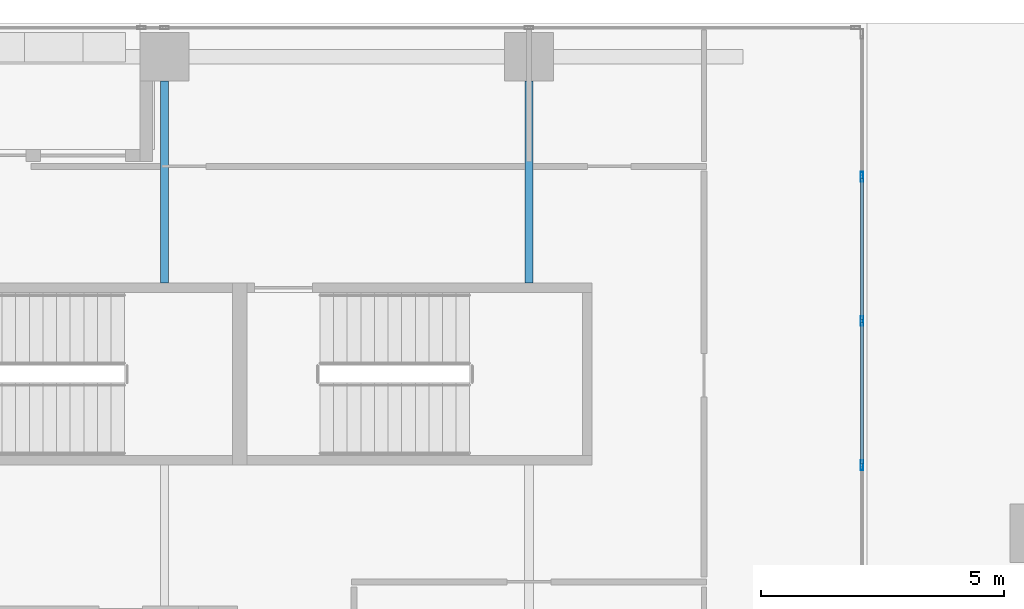
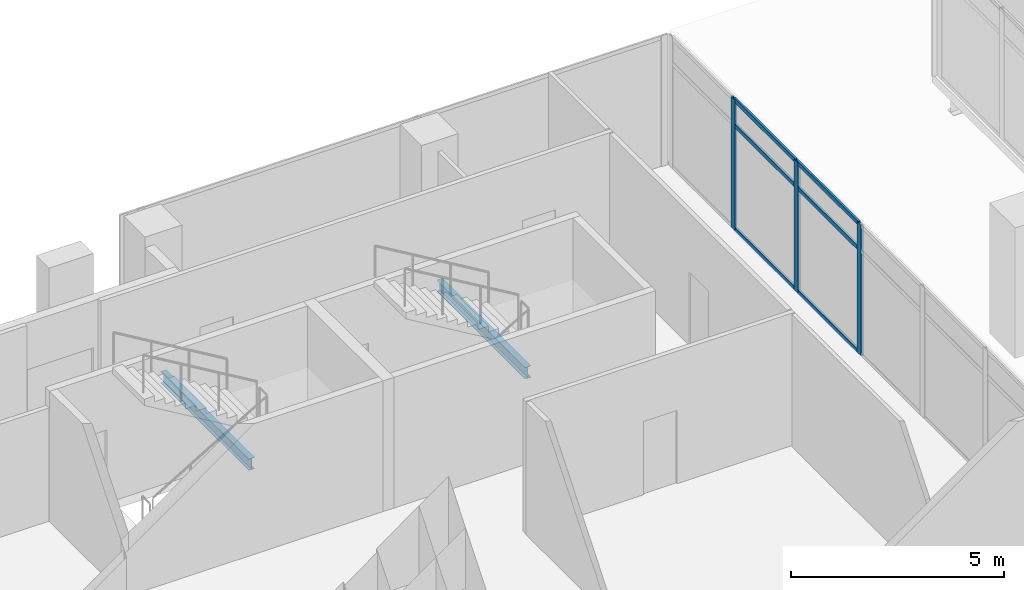
# One storey, part 21 of 40: 9 members, 2 beams, 1 element without a shape of its own.
"""IFC4 building model written with IfcOpenShell, lengths in metres."""

from ifc_helpers import new_model, si_unit, direction, frame, origin, origin_2d, place, context, subcontext, project, spatial, hollow_rectangle, i_section, extrude, source, transform, mapped, material, material_profile, profile_set, type_object, element, aggregate, save


model = new_model("IFC4")

# Units and contexts
model_context = context("Model", 3, precision=1e-05, world=origin(), true_north=direction((0.0, 1.0)))
body_context = subcontext(model_context, "Body", "Model", "MODEL_VIEW")
ifc_project = project(units=[si_unit("LENGTHUNIT", "METRE"), si_unit("AREAUNIT", "SQUARE_METRE"), si_unit("VOLUMEUNIT", "CUBIC_METRE"), si_unit("PLANEANGLEUNIT", "RADIAN"), si_unit("MASSUNIT", "GRAM", prefix="KILO")], contexts=[model_context])

# Site, building, storey
site_placement = place(None, origin())
site = spatial("IfcSite", under=ifc_project, at=site_placement, CompositionType="ELEMENT")
building_placement = place(site_placement, origin())
building = spatial("IfcBuilding", under=site, at=building_placement, Name="Khomas Fold Tower", CompositionType="ELEMENT")
storey_placement = place(building_placement, frame((0.0, 0.0, 184.699951171875)))
storey = spatial("IfcBuildingStorey", under=building, at=storey_placement, Name="L40", CompositionType="ELEMENT", Elevation=184.699951171875)

# Beams
ifc_material_1 = material(Name="Steel S355", Category="steel")
ifc_material_profile_1 = material_profile(ifc_material_1, i_section(OverallWidth=0.159912109375, OverallDepth=0.330078125, WebThickness=0.007568359375, FlangeThickness=0.011474609375, at=origin_2d()), Name="IPE 330")
ifc_profile_set_1 = profile_set([ifc_material_profile_1], Name="Steel S355")
beam_type = type_object("IfcBeamType", Name="IPE 330 beam JB1", PredefinedType="BEAM", material=ifc_profile_set_1)
shared_shape_1 = source(origin(), body_context, "Body", "SweptSolid", [
    extrude(i_section(OverallWidth=0.159912109375, OverallDepth=0.330078125, WebThickness=0.007568359375, FlangeThickness=0.011474609375, at=origin_2d()), origin(), (0.0, 0.0, 1.0), 4.150146484375),
])
for number, where, z_axis, x_axis, name in (
    (1, (19.5, 45.64990234375, -0.4150390625), (0.0, 1.0, 0.0), (-1.0, 0.0, 0.0), "JB1"),
    (2, (27.0, 45.64990234375, -0.4150390625), (0.0, 1.0, 0.0), (-1.0, 0.0, 0.0), "JB1"),
):
    element("IfcBeam", number, at=place(storey_placement, frame(where, z_axis=z_axis, x_axis=x_axis)), inside=storey, type_object=beam_type, Name=name, PredefinedType="BEAM", context=body_context, shape_type="MappedRepresentation", body=[
        mapped(shared_shape_1, transform((0.0, 0.0, 0.0))),
    ])

# Curtain wall, members
ifc_material_2 = material(Name="Aluminium framed double glazing", Category="aluminium")
curtain_wall_type = type_object("IfcCurtainWallType", Name="Notch glazing GN-CW", PredefinedType="NOTDEFINED", material=ifc_material_2)
curtain_wall_placement = place(storey_placement, origin())
curtain_wall = element("IfcCurtainWall", 3, at=curtain_wall_placement, inside=storey, type_object=curtain_wall_type, Name="Notch glazing run", PredefinedType="NOTDEFINED")
ifc_material_3 = material(Name="Aluminium", Category="aluminium")
ifc_material_profile_2 = material_profile(ifc_material_3, hollow_rectangle(XDim=0.06005859375, YDim=0.1201171875, WallThickness=0.00390625, at=origin_2d()), Name="Notch glazing transom GN-CW-T")
ifc_profile_set_2 = profile_set([ifc_material_profile_2], Name="Aluminium")
member_type_1 = type_object("IfcMemberType", Name="Notch glazing transom GN-CW-T", PredefinedType="USERDEFINED", material=ifc_profile_set_2)
shared_shape_2 = source(origin(), body_context, "Body", "SweptSolid", [
    extrude(hollow_rectangle(XDim=0.06005859375, YDim=0.1201171875, WallThickness=0.00390625, at=origin_2d()), origin(), (0.0, 0.0, 1.0), 2.90673828125),
])
member_1_placement = place(storey_placement, frame((33.85009765625, 41.929931640625, 0.030029296875), z_axis=(0.0, 1.0, 0.0), x_axis=(-1.0, 0.0, 0.0)))
member_1 = element("IfcMember", 4, at=member_1_placement, type_object=member_type_1, Name="GN-CW transom 4.1", ObjectType="TRANSOM", PredefinedType="USERDEFINED", context=body_context, shape_type="MappedRepresentation", body=[
    mapped(shared_shape_2, transform((0.0, 0.0, 0.0))),
])
member_2_placement = place(storey_placement, frame((33.85009765625, 41.929931640625, 3.0), z_axis=(0.0, 1.0, 0.0), x_axis=(-1.0, 0.0, 0.0)))
member_2 = element("IfcMember", 5, at=member_2_placement, type_object=member_type_1, Name="GN-CW transom 4.2", ObjectType="TRANSOM", PredefinedType="USERDEFINED", context=body_context, shape_type="MappedRepresentation", body=[
    mapped(shared_shape_2, transform((0.0, 0.0, 0.0))),
])
member_3_placement = place(storey_placement, frame((33.85009765625, 41.929931640625, 3.719970703125), z_axis=(0.0, 1.0, 0.0), x_axis=(-1.0, 0.0, 0.0)))
member_3 = element("IfcMember", 6, at=member_3_placement, type_object=member_type_1, Name="GN-CW transom 4.3", ObjectType="TRANSOM", PredefinedType="USERDEFINED", context=body_context, shape_type="MappedRepresentation", body=[
    mapped(shared_shape_2, transform((0.0, 0.0, 0.0))),
])
shared_shape_3 = source(origin(), body_context, "Body", "SweptSolid", [
    extrude(hollow_rectangle(XDim=0.06005859375, YDim=0.1201171875, WallThickness=0.00390625, at=origin_2d()), origin(), (0.0, 0.0, 1.0), 2.906494140625),
])
member_4_placement = place(storey_placement, frame((33.85009765625, 44.896728515625, 0.030029296875), z_axis=(0.0, 1.0, 0.0), x_axis=(-1.0, 0.0, 0.0)))
member_4 = element("IfcMember", 7, at=member_4_placement, type_object=member_type_1, Name="GN-CW transom 5.1", ObjectType="TRANSOM", PredefinedType="USERDEFINED", context=body_context, shape_type="MappedRepresentation", body=[
    mapped(shared_shape_3, transform((0.0, 0.0, 0.0))),
])
member_5_placement = place(storey_placement, frame((33.85009765625, 44.896728515625, 3.0), z_axis=(0.0, 1.0, 0.0), x_axis=(-1.0, 0.0, 0.0)))
member_5 = element("IfcMember", 8, at=member_5_placement, type_object=member_type_1, Name="GN-CW transom 5.2", ObjectType="TRANSOM", PredefinedType="USERDEFINED", context=body_context, shape_type="MappedRepresentation", body=[
    mapped(shared_shape_3, transform((0.0, 0.0, 0.0))),
])
member_6_placement = place(storey_placement, frame((33.85009765625, 44.896728515625, 3.719970703125), z_axis=(0.0, 1.0, 0.0), x_axis=(-1.0, 0.0, 0.0)))
member_6 = element("IfcMember", 9, at=member_6_placement, type_object=member_type_1, Name="GN-CW transom 5.3", ObjectType="TRANSOM", PredefinedType="USERDEFINED", context=body_context, shape_type="MappedRepresentation", body=[
    mapped(shared_shape_3, transform((0.0, 0.0, 0.0))),
])
ifc_material_4 = material(Name="Aluminium", Category="aluminium")
ifc_material_profile_3 = material_profile(ifc_material_4, hollow_rectangle(XDim=0.06005859375, YDim=0.199951171875, WallThickness=0.00390625, at=origin_2d()), Name="Notch glazing mullion GN-CW-M")
ifc_profile_set_3 = profile_set([ifc_material_profile_3], Name="Aluminium")
member_type_2 = type_object("IfcMemberType", Name="Notch glazing mullion GN-CW-M", PredefinedType="MULLION", material=ifc_profile_set_3)
shared_shape_4 = source(origin(), body_context, "Body", "SweptSolid", [
    extrude(hollow_rectangle(XDim=0.06005859375, YDim=0.199951171875, WallThickness=0.00390625, at=origin_2d()), origin(), (0.0, 0.0, 1.0), 3.75),
])
member_7_placement = place(storey_placement, frame((33.85009765625, 41.89990234375, 0.0), z_axis=(0.0, 0.0, 1.0), x_axis=(-1.0, 0.0, 0.0)))
member_7 = element("IfcMember", 10, at=member_7_placement, type_object=member_type_2, Name="GN-CW mullion 4", PredefinedType="MULLION", context=body_context, shape_type="MappedRepresentation", body=[
    mapped(shared_shape_4, transform((0.0, 0.0, 0.0))),
])
member_8_placement = place(storey_placement, frame((33.85009765625, 44.86669921875, 0.0), z_axis=(0.0, 0.0, 1.0), x_axis=(-1.0, 0.0, 0.0)))
member_8 = element("IfcMember", 11, at=member_8_placement, type_object=member_type_2, Name="GN-CW mullion 5", PredefinedType="MULLION", context=body_context, shape_type="MappedRepresentation", body=[
    mapped(shared_shape_4, transform((0.0, 0.0, 0.0))),
])
member_9_placement = place(storey_placement, frame((33.85009765625, 47.833251953125, 0.0), z_axis=(0.0, 0.0, 1.0), x_axis=(-1.0, 0.0, 0.0)))
member_9 = element("IfcMember", 12, at=member_9_placement, type_object=member_type_2, Name="GN-CW mullion 6", PredefinedType="MULLION", context=body_context, shape_type="MappedRepresentation", body=[
    mapped(shared_shape_4, transform((0.0, 0.0, 0.0))),
])
aggregate(curtain_wall, [member_7, member_8, member_9, member_1, member_2, member_3, member_4, member_5, member_6])

save(model, "model.ifc")
